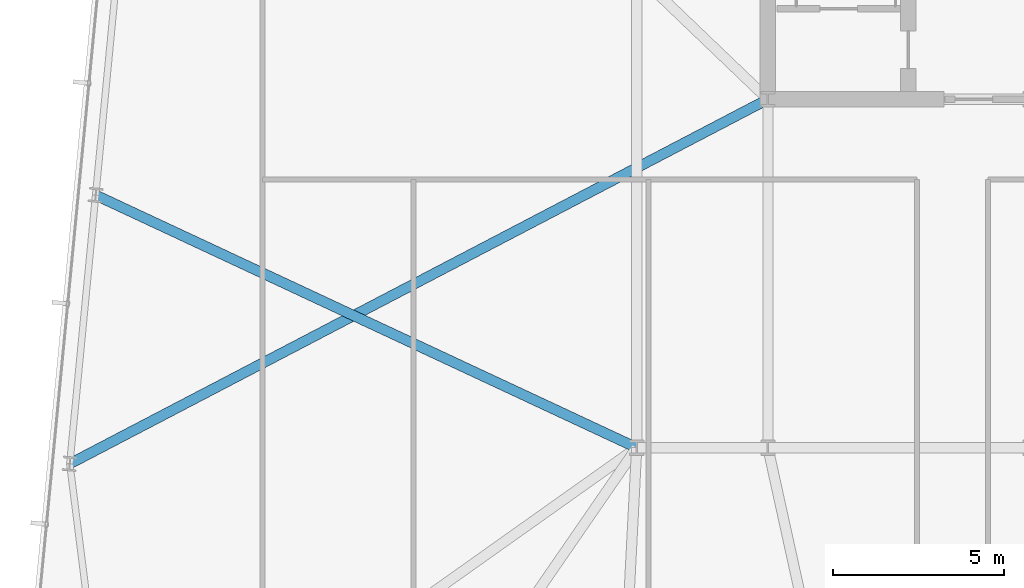
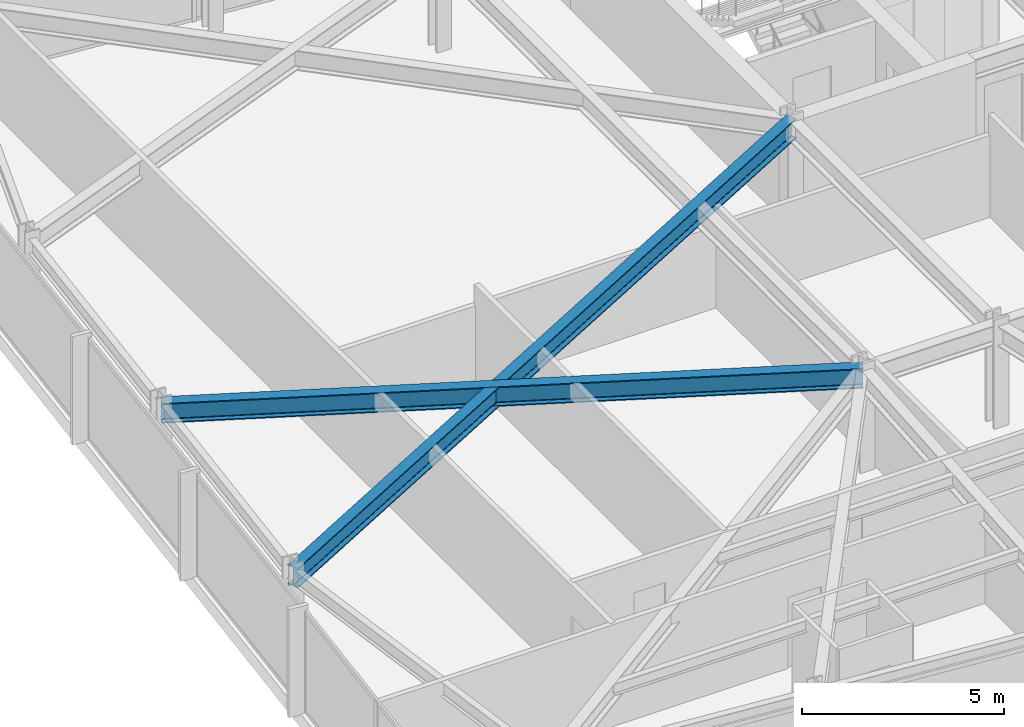
# One storey, part 9 of 37: 2 beams.
"""IFC4 building model written with IfcOpenShell, lengths in metres."""

from ifc_helpers import new_model, si_unit, direction, frame, origin, origin_2d, place, context, subcontext, project, spatial, i_section, extrude, material, material_profile, profile_set, type_object, element, save


model = new_model("IFC4")

# Units and contexts
model_context = context("Model", 3, precision=1e-05, world=origin(), true_north=direction((0.0, 1.0)))
body_context = subcontext(model_context, "Body", "Model", "MODEL_VIEW")
ifc_project = project(units=[si_unit("LENGTHUNIT", "METRE"), si_unit("AREAUNIT", "SQUARE_METRE"), si_unit("VOLUMEUNIT", "CUBIC_METRE"), si_unit("PLANEANGLEUNIT", "RADIAN"), si_unit("MASSUNIT", "GRAM", prefix="KILO")], contexts=[model_context])

# Site, building, storey
site_placement = place(None, origin())
site = spatial("IfcSite", under=ifc_project, at=site_placement, CompositionType="ELEMENT")
building_placement = place(site_placement, origin())
building = spatial("IfcBuilding", under=site, at=building_placement, Name="Yelkora Congress Tower", CompositionType="ELEMENT")
storey_placement = place(building_placement, frame((0.0, 0.0, 149.0)))
storey = spatial("IfcBuildingStorey", under=building, at=storey_placement, Name="L40", CompositionType="ELEMENT", Elevation=149.0)

# Beams
ifc_material = material(Name="Steel S355J2", Category="steel")
ifc_material_profile = material_profile(ifc_material, i_section(OverallWidth=0.300048828125, OverallDepth=0.60009765625, WebThickness=0.015380859375, FlangeThickness=0.030029296875, FilletRadius=0.027099609375, at=origin_2d()), Name="HEB 600")
ifc_profile_set = profile_set([ifc_material_profile], Name="Steel S355J2")
beam_type = type_object("IfcBeamType", Name="BM-GIRD-HEB600", PredefinedType="BEAM", material=ifc_profile_set)
beam_1_placement = place(storey_placement, frame((2.607421875, 24.730712890625, 2.780029296875), z_axis=(0.886430124978, 0.462862434781, 0.0), x_axis=(-0.462862434781, 0.886430124978, 0.0)))
element("IfcBeam", 1, at=beam_1_placement, inside=storey, type_object=beam_type, Name="L40 Primary Frame Girder W01", PredefinedType="BEAM", context=body_context, shape_type="SweptSolid", body=[
    extrude(i_section(OverallWidth=0.300048828125, OverallDepth=0.60009765625, WebThickness=0.015380859375, FlangeThickness=0.030029296875, FilletRadius=0.027099609375, at=origin_2d()), origin(), (0.0, 0.0, 1.0), 23.050537109375),
])
beam_2_placement = place(storey_placement, frame((3.364501953125, 32.594482421875, 2.780029296875), z_axis=(0.906081045456, -0.423104170466, 0.0), x_axis=(0.423104170466, 0.906081045456, 0.0)))
element("IfcBeam", 2, at=beam_2_placement, inside=storey, type_object=beam_type, Name="L40 Primary Frame Girder W02", PredefinedType="BEAM", context=body_context, shape_type="SweptSolid", body=[
    extrude(i_section(OverallWidth=0.300048828125, OverallDepth=0.60009765625, WebThickness=0.015380859375, FlangeThickness=0.030029296875, FilletRadius=0.027099609375, at=origin_2d()), origin(), (0.0, 0.0, 1.0), 17.476806640625),
])

save(model, "model.ifc")
